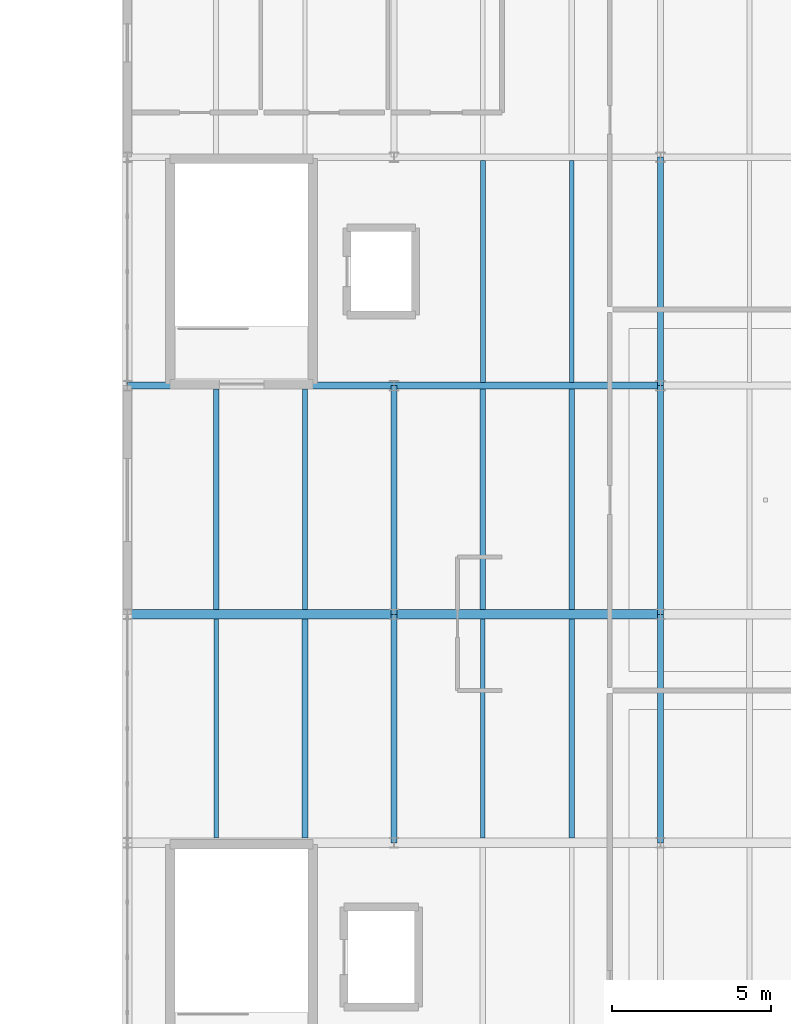
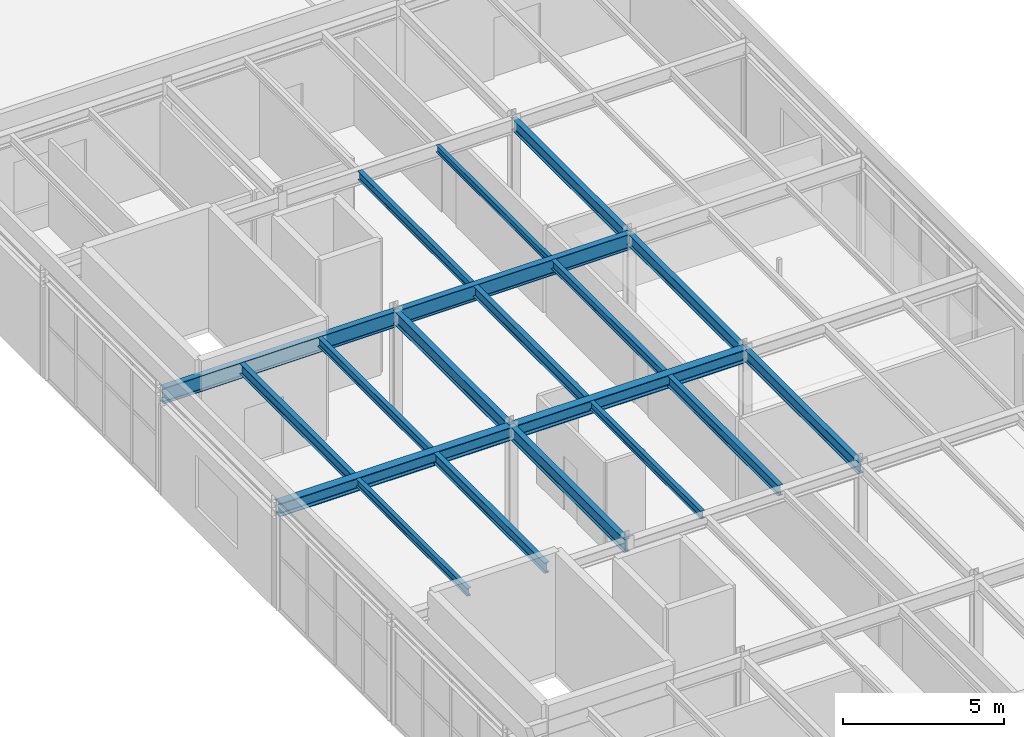
# One storey, part 60 of 77: 19 beams.
"""IFC4 building model written with IfcOpenShell, lengths in metres."""

from ifc_helpers import new_model, si_unit, derived_unit, direction, frame, origin, origin_2d, place, context, subcontext, project, spatial, i_section, extrude, material, material_profile, profile_set, type_object, element, save


model = new_model("IFC4")

# Units and contexts
model_context = context("Model", 3, precision=1e-05, world=origin(), true_north=direction((0.0, 1.0)))
body_context = subcontext(model_context, "Body", "Model", "MODEL_VIEW")
ifc_project = project(units=[si_unit("LENGTHUNIT", "METRE"), si_unit("AREAUNIT", "SQUARE_METRE"), si_unit("VOLUMEUNIT", "CUBIC_METRE"), si_unit("PLANEANGLEUNIT", "RADIAN"), si_unit("MASSUNIT", "GRAM", prefix="KILO"), derived_unit("THERMALTRANSMITTANCEUNIT", [(si_unit("MASSUNIT", "GRAM", prefix="KILO"), 1), (si_unit("TIMEUNIT", "SECOND"), -3), (si_unit("THERMODYNAMICTEMPERATUREUNIT", "KELVIN"), -1)])], contexts=[model_context])

# Site, building, storey
site_placement = place(None, origin())
site = spatial("IfcSite", under=ifc_project, at=site_placement, CompositionType="ELEMENT")
building_placement = place(site_placement, origin())
building = spatial("IfcBuilding", under=site, at=building_placement, Name="Kharveza Railside Sports Centre", CompositionType="ELEMENT")
storey_placement = place(building_placement, frame((0.0, 0.0, 17.10009765625)))
storey = spatial("IfcBuildingStorey", under=building, at=storey_placement, Name="L04", CompositionType="ELEMENT", Elevation=17.10009765625)

# Beams
ifc_material = material(Name="Steel S355J2", Category="steel")
ifc_material_profile_1 = material_profile(ifc_material, i_section(OverallWidth=0.219970703125, OverallDepth=0.60009765625, WebThickness=0.011962890625, FlangeThickness=0.01904296875, FilletRadius=0.02392578125, at=origin_2d()), Name="IPE 600")
ifc_profile_set_1 = profile_set([ifc_material_profile_1], Name="Steel S355J2")
beam_type_1 = type_object("IfcBeamType", Name="BM-G01", PredefinedType="T_BEAM", material=ifc_profile_set_1)
beam_1_placement = place(storey_placement, frame((142.800048828125, 57.60009765625, 3.7099609375), z_axis=(1.0, 0.0, 0.0), x_axis=(0.0, 1.0, 0.0)))
element("IfcBeam", 1, at=beam_1_placement, inside=storey, type_object=beam_type_1, Name="BM-EW-L04-B01-X1428-Y576", PredefinedType="T_BEAM", context=body_context, shape_type="SweptSolid", body=[
    extrude(i_section(OverallWidth=0.219970703125, OverallDepth=0.60009765625, WebThickness=0.011962890625, FlangeThickness=0.01904296875, FilletRadius=0.02392578125, at=origin_2d()), origin(), (0.0, 0.0, 1.0), 8.39990234375),
])
beam_2_placement = place(storey_placement, frame((151.199951171875, 57.60009765625, 3.7099609375), z_axis=(1.0, 0.0, 0.0), x_axis=(0.0, 1.0, 0.0)))
element("IfcBeam", 2, at=beam_2_placement, inside=storey, type_object=beam_type_1, Name="BM-EW-L04-B01-X1512-Y576", PredefinedType="T_BEAM", context=body_context, shape_type="SweptSolid", body=[
    extrude(i_section(OverallWidth=0.219970703125, OverallDepth=0.60009765625, WebThickness=0.011962890625, FlangeThickness=0.01904296875, FilletRadius=0.02392578125, at=origin_2d()), origin(), (0.0, 0.0, 1.0), 8.400146484375),
])
ifc_material_profile_2 = material_profile(ifc_material, i_section(OverallWidth=0.199951171875, OverallDepth=0.5, WebThickness=0.01025390625, FlangeThickness=0.01611328125, FilletRadius=0.02099609375, at=origin_2d()), Name="IPE 500")
ifc_profile_set_2 = profile_set([ifc_material_profile_2], Name="Steel S355J2")
beam_type_2 = type_object("IfcBeamType", Name="BM-G03", PredefinedType="T_BEAM", material=ifc_profile_set_2)
beam_3_placement = place(storey_placement, frame((151.199951171875, 43.199951171875, 3.760009765625), z_axis=(0.0, 1.0, 0.0), x_axis=(-1.0, 0.0, 0.0)))
element("IfcBeam", 3, at=beam_3_placement, inside=storey, type_object=beam_type_2, Name="BM-NS-L04-B03-X1512-Y432", PredefinedType="T_BEAM", context=body_context, shape_type="SweptSolid", body=[
    extrude(i_section(OverallWidth=0.199951171875, OverallDepth=0.5, WebThickness=0.01025390625, FlangeThickness=0.01611328125, FilletRadius=0.02099609375, at=origin_2d()), origin(), (0.0, 0.0, 1.0), 7.199951171875),
])
beam_4_placement = place(storey_placement, frame((151.199951171875, 50.39990234375, 3.760009765625), z_axis=(0.0, 1.0, 0.0), x_axis=(-1.0, 0.0, 0.0)))
element("IfcBeam", 4, at=beam_4_placement, inside=storey, type_object=beam_type_2, Name="BM-NS-L04-B03-X1512-Y504", PredefinedType="T_BEAM", context=body_context, shape_type="SweptSolid", body=[
    extrude(i_section(OverallWidth=0.199951171875, OverallDepth=0.5, WebThickness=0.01025390625, FlangeThickness=0.01611328125, FilletRadius=0.02099609375, at=origin_2d()), origin(), (0.0, 0.0, 1.0), 7.2001953125),
])
ifc_material_profile_3 = material_profile(ifc_material, i_section(OverallWidth=0.18994140625, OverallDepth=0.449951171875, WebThickness=0.009521484375, FlangeThickness=0.0146484375, FilletRadius=0.02099609375, at=origin_2d()), Name="IPE 450")
ifc_profile_set_3 = profile_set([ifc_material_profile_3], Name="Steel S355J2")
beam_type_3 = type_object("IfcBeamType", Name="BM-G04", PredefinedType="T_BEAM", material=ifc_profile_set_3)
beam_5_placement = place(storey_placement, frame((159.60009765625, 43.199951171875, 3.784912109375), z_axis=(0.0, 1.0, 0.0), x_axis=(-1.0, 0.0, 0.0)))
element("IfcBeam", 5, at=beam_5_placement, inside=storey, type_object=beam_type_3, Name="BM-NS-L04-B04-X1596-Y432", PredefinedType="T_BEAM", context=body_context, shape_type="SweptSolid", body=[
    extrude(i_section(OverallWidth=0.18994140625, OverallDepth=0.449951171875, WebThickness=0.009521484375, FlangeThickness=0.0146484375, FilletRadius=0.02099609375, at=origin_2d()), origin(), (0.0, 0.0, 1.0), 7.199951171875),
])
beam_6_placement = place(storey_placement, frame((159.60009765625, 50.39990234375, 3.784912109375), z_axis=(0.0, 1.0, 0.0), x_axis=(-1.0, 0.0, 0.0)))
element("IfcBeam", 6, at=beam_6_placement, inside=storey, type_object=beam_type_3, Name="BM-NS-L04-B04-X1596-Y504", PredefinedType="T_BEAM", context=body_context, shape_type="SweptSolid", body=[
    extrude(i_section(OverallWidth=0.18994140625, OverallDepth=0.449951171875, WebThickness=0.009521484375, FlangeThickness=0.0146484375, FilletRadius=0.02099609375, at=origin_2d()), origin(), (0.0, 0.0, 1.0), 7.2001953125),
])
beam_7_placement = place(storey_placement, frame((159.60009765625, 57.60009765625, 3.784912109375), z_axis=(0.0, 1.0, 0.0), x_axis=(-1.0, 0.0, 0.0)))
element("IfcBeam", 7, at=beam_7_placement, inside=storey, type_object=beam_type_3, Name="BM-NS-L04-B04-X1596-Y576", PredefinedType="T_BEAM", context=body_context, shape_type="SweptSolid", body=[
    extrude(i_section(OverallWidth=0.18994140625, OverallDepth=0.449951171875, WebThickness=0.009521484375, FlangeThickness=0.0146484375, FilletRadius=0.02099609375, at=origin_2d()), origin(), (0.0, 0.0, 1.0), 7.199951171875),
])
ifc_material_profile_4 = material_profile(ifc_material, i_section(OverallWidth=0.300048828125, OverallDepth=0.5, WebThickness=0.014404296875, FlangeThickness=0.028076171875, FilletRadius=0.027099609375, at=origin_2d()), Name="HEB 500")
ifc_profile_set_4 = profile_set([ifc_material_profile_4], Name="Steel S355J2")
beam_type_4 = type_object("IfcBeamType", Name="BM-G05", PredefinedType="T_BEAM", material=ifc_profile_set_4)
beam_8_placement = place(storey_placement, frame((142.800048828125, 50.39990234375, 3.760009765625), z_axis=(1.0, 0.0, 0.0), x_axis=(0.0, 1.0, 0.0)))
element("IfcBeam", 8, at=beam_8_placement, inside=storey, type_object=beam_type_4, Name="BM-EW-L04-B05-X1428-Y504", PredefinedType="T_BEAM", context=body_context, shape_type="SweptSolid", body=[
    extrude(i_section(OverallWidth=0.300048828125, OverallDepth=0.5, WebThickness=0.014404296875, FlangeThickness=0.028076171875, FilletRadius=0.027099609375, at=origin_2d()), origin(), (0.0, 0.0, 1.0), 8.39990234375),
])
beam_9_placement = place(storey_placement, frame((151.199951171875, 50.39990234375, 3.760009765625), z_axis=(1.0, 0.0, 0.0), x_axis=(0.0, 1.0, 0.0)))
element("IfcBeam", 9, at=beam_9_placement, inside=storey, type_object=beam_type_4, Name="BM-EW-L04-B05-X1512-Y504", PredefinedType="T_BEAM", context=body_context, shape_type="SweptSolid", body=[
    extrude(i_section(OverallWidth=0.300048828125, OverallDepth=0.5, WebThickness=0.014404296875, FlangeThickness=0.028076171875, FilletRadius=0.027099609375, at=origin_2d()), origin(), (0.0, 0.0, 1.0), 8.400146484375),
])
ifc_material_profile_5 = material_profile(ifc_material, i_section(OverallWidth=0.179931640625, OverallDepth=0.39990234375, WebThickness=0.008544921875, FlangeThickness=0.013427734375, FilletRadius=0.02099609375, at=origin_2d()), Name="IPE 400")
ifc_profile_set_5 = profile_set([ifc_material_profile_5], Name="Steel S355J2")
beam_type_5 = type_object("IfcBeamType", Name="BM-S01", PredefinedType="BEAM", material=ifc_profile_set_5)
beam_10_placement = place(storey_placement, frame((148.39990234375, 43.346923828125, 3.809814453125), z_axis=(0.0, 1.0, 0.0), x_axis=(-1.0, 0.0, 0.0)))
element("IfcBeam", 10, at=beam_10_placement, inside=storey, type_object=beam_type_5, Name="BM-SEC-L04-B09-X1484-Y432", PredefinedType="BEAM", context=body_context, shape_type="SweptSolid", body=[
    extrude(i_section(OverallWidth=0.179931640625, OverallDepth=0.39990234375, WebThickness=0.008544921875, FlangeThickness=0.013427734375, FilletRadius=0.02099609375, at=origin_2d()), origin(), (0.0, 0.0, 1.0), 6.906005859375),
])
beam_11_placement = place(storey_placement, frame((145.60009765625, 50.547119140625, 3.809814453125), z_axis=(0.0, 1.0, 0.0), x_axis=(-1.0, 0.0, 0.0)))
element("IfcBeam", 11, at=beam_11_placement, inside=storey, type_object=beam_type_5, Name="BM-SEC-L04-B09-X1456-Y504", PredefinedType="BEAM", context=body_context, shape_type="SweptSolid", body=[
    extrude(i_section(OverallWidth=0.179931640625, OverallDepth=0.39990234375, WebThickness=0.008544921875, FlangeThickness=0.013427734375, FilletRadius=0.02099609375, at=origin_2d()), origin(), (0.0, 0.0, 1.0), 6.94580078125),
])
beam_12_placement = place(storey_placement, frame((156.800048828125, 43.346923828125, 3.809814453125), z_axis=(0.0, 1.0, 0.0), x_axis=(-1.0, 0.0, 0.0)))
element("IfcBeam", 12, at=beam_12_placement, inside=storey, type_object=beam_type_5, Name="BM-SEC-L04-B09-X1568-Y432", PredefinedType="BEAM", context=body_context, shape_type="SweptSolid", body=[
    extrude(i_section(OverallWidth=0.179931640625, OverallDepth=0.39990234375, WebThickness=0.008544921875, FlangeThickness=0.013427734375, FilletRadius=0.02099609375, at=origin_2d()), origin(), (0.0, 0.0, 1.0), 6.906005859375),
])
beam_13_placement = place(storey_placement, frame((154.0, 50.547119140625, 3.809814453125), z_axis=(0.0, 1.0, 0.0), x_axis=(-1.0, 0.0, 0.0)))
element("IfcBeam", 13, at=beam_13_placement, inside=storey, type_object=beam_type_5, Name="BM-SEC-L04-B09-X1540-Y504", PredefinedType="BEAM", context=body_context, shape_type="SweptSolid", body=[
    extrude(i_section(OverallWidth=0.179931640625, OverallDepth=0.39990234375, WebThickness=0.008544921875, FlangeThickness=0.013427734375, FilletRadius=0.02099609375, at=origin_2d()), origin(), (0.0, 0.0, 1.0), 6.94580078125),
])
ifc_material_profile_6 = material_profile(ifc_material, i_section(OverallWidth=0.159912109375, OverallDepth=0.330078125, WebThickness=0.007568359375, FlangeThickness=0.011474609375, FilletRadius=0.01806640625, at=origin_2d()), Name="IPE 330")
ifc_profile_set_6 = profile_set([ifc_material_profile_6], Name="Steel S355J2")
beam_type_6 = type_object("IfcBeamType", Name="BM-S03", PredefinedType="BEAM", material=ifc_profile_set_6)
for number, where, z_axis, x_axis, name in (
    (14, (148.39990234375, 50.547119140625, 3.844970703125), (0.0, 1.0, 0.0), (-1.0, 0.0, 0.0), "BM-SEC-L04-B11-X1484-Y504"),
    (15, (156.800048828125, 50.547119140625, 3.844970703125), (0.0, 1.0, 0.0), (-1.0, 0.0, 0.0), "BM-SEC-L04-B11-X1568-Y504"),
):
    element("IfcBeam", number, at=place(storey_placement, frame(where, z_axis=z_axis, x_axis=x_axis)), inside=storey, type_object=beam_type_6, Name=name, PredefinedType="BEAM", context=body_context, shape_type="SweptSolid", body=[
        extrude(i_section(OverallWidth=0.159912109375, OverallDepth=0.330078125, WebThickness=0.007568359375, FlangeThickness=0.011474609375, FilletRadius=0.01806640625, at=origin_2d()), origin(), (0.0, 0.0, 1.0), 6.94580078125),
    ])
beam_14_placement = place(storey_placement, frame((154.0, 57.70703125, 3.844970703125), z_axis=(0.0, 1.0, 0.0), x_axis=(-1.0, 0.0, 0.0)))
element("IfcBeam", 16, at=beam_14_placement, inside=storey, type_object=beam_type_6, Name="BM-SEC-L04-B11-X1540-Y576", PredefinedType="BEAM", context=body_context, shape_type="SweptSolid", body=[
    extrude(i_section(OverallWidth=0.159912109375, OverallDepth=0.330078125, WebThickness=0.007568359375, FlangeThickness=0.011474609375, FilletRadius=0.01806640625, at=origin_2d()), origin(), (0.0, 0.0, 1.0), 6.990966796875),
])
ifc_material_profile_7 = material_profile(ifc_material, i_section(OverallWidth=0.14990234375, OverallDepth=0.300048828125, WebThickness=0.007080078125, FlangeThickness=0.0107421875, FilletRadius=0.014892578125, at=origin_2d()), Name="IPE 300")
ifc_profile_set_7 = profile_set([ifc_material_profile_7], Name="Steel S355J2")
beam_type_7 = type_object("IfcBeamType", Name="BM-S04", PredefinedType="BEAM", material=ifc_profile_set_7)
for number, where, z_axis, x_axis, name in (
    (17, (145.60009765625, 43.346923828125, 3.85986328125), (0.0, 1.0, 0.0), (-1.0, 0.0, 0.0), "BM-SEC-L04-B12-X1456-Y432"),
    (18, (154.0, 43.346923828125, 3.85986328125), (0.0, 1.0, 0.0), (-1.0, 0.0, 0.0), "BM-SEC-L04-B12-X1540-Y432"),
):
    element("IfcBeam", number, at=place(storey_placement, frame(where, z_axis=z_axis, x_axis=x_axis)), inside=storey, type_object=beam_type_7, Name=name, PredefinedType="BEAM", context=body_context, shape_type="SweptSolid", body=[
        extrude(i_section(OverallWidth=0.14990234375, OverallDepth=0.300048828125, WebThickness=0.007080078125, FlangeThickness=0.0107421875, FilletRadius=0.014892578125, at=origin_2d()), origin(), (0.0, 0.0, 1.0), 6.906005859375),
    ])
ifc_material_profile_8 = material_profile(ifc_material, i_section(OverallWidth=0.135009765625, OverallDepth=0.27001953125, WebThickness=0.006591796875, FlangeThickness=0.01025390625, FilletRadius=0.014892578125, at=origin_2d()), Name="IPE 270")
ifc_profile_set_8 = profile_set([ifc_material_profile_8], Name="Steel S355J2")
beam_type_8 = type_object("IfcBeamType", Name="BM-S05", PredefinedType="BEAM", material=ifc_profile_set_8)
beam_15_placement = place(storey_placement, frame((156.800048828125, 57.70703125, 3.875), z_axis=(0.0, 1.0, 0.0), x_axis=(-1.0, 0.0, 0.0)))
element("IfcBeam", 19, at=beam_15_placement, inside=storey, type_object=beam_type_8, Name="BM-SEC-L04-B13-X1568-Y576", PredefinedType="BEAM", context=body_context, shape_type="SweptSolid", body=[
    extrude(i_section(OverallWidth=0.135009765625, OverallDepth=0.27001953125, WebThickness=0.006591796875, FlangeThickness=0.01025390625, FilletRadius=0.014892578125, at=origin_2d()), origin(), (0.0, 0.0, 1.0), 6.990966796875),
])

save(model, "model.ifc")
